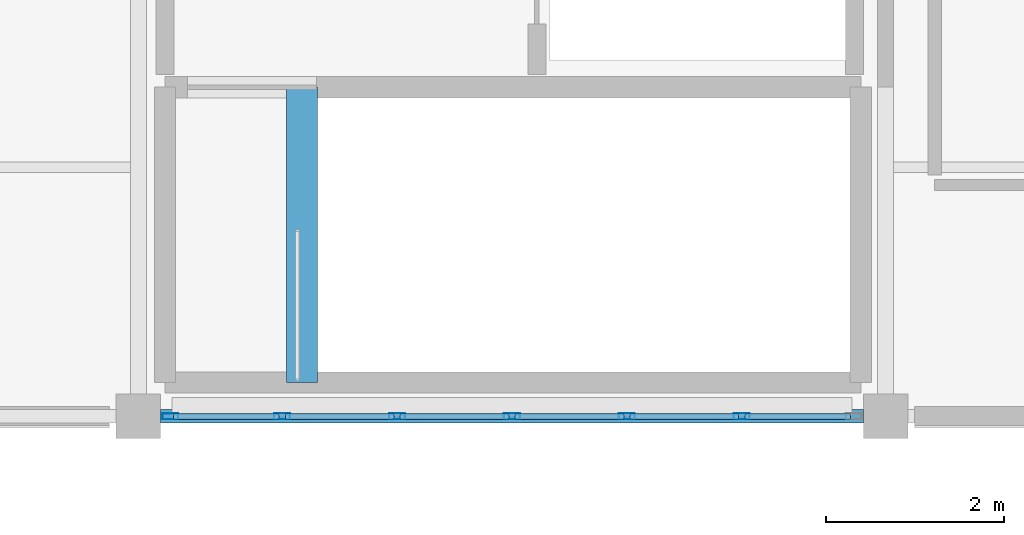
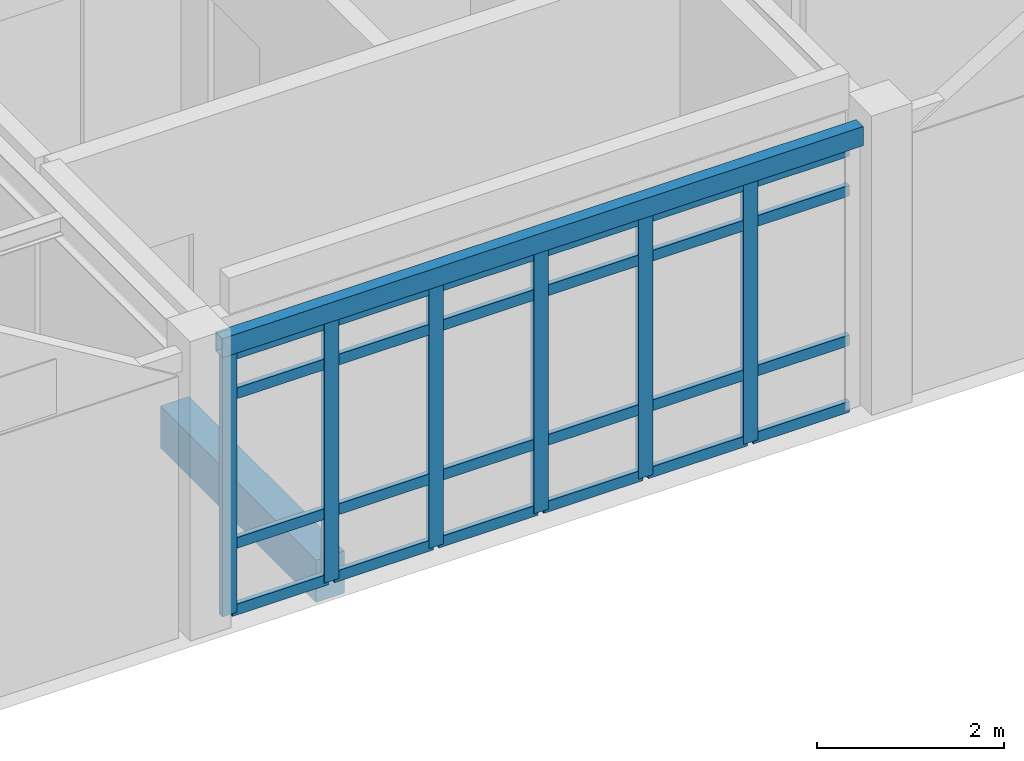
# One storey, part 12 of 45: 30 members, 2 beams, 1 element without a shape of its own.
"""IFC4 building model written with IfcOpenShell, lengths in metres."""

from ifc_helpers import new_model, si_unit, direction, frame, origin, origin_2d, place, context, subcontext, project, spatial, rectangle, hollow_rectangle, extrude, material, layer, layer_set, material_profile, profile_set, type_object, element, aggregate, save


model = new_model("IFC4")

# Units and contexts
model_context = context("Model", 3, precision=1e-05, world=origin(), true_north=direction((0.0, 1.0)))
body_context = subcontext(model_context, "Body", "Model", "MODEL_VIEW")
ifc_project = project(units=[si_unit("LENGTHUNIT", "METRE"), si_unit("AREAUNIT", "SQUARE_METRE"), si_unit("VOLUMEUNIT", "CUBIC_METRE"), si_unit("PLANEANGLEUNIT", "RADIAN"), si_unit("MASSUNIT", "GRAM", prefix="KILO")], contexts=[model_context])

# Site, building, storey
site_placement = place(None, origin())
site = spatial("IfcSite", under=ifc_project, at=site_placement, CompositionType="ELEMENT")
building_placement = place(site_placement, origin())
building = spatial("IfcBuilding", under=site, at=building_placement, Name="Bramfleet General Hospital", CompositionType="ELEMENT")
storey_placement = place(building_placement, frame((0.0, 0.0, 30.300048828125)))
storey = spatial("IfcBuildingStorey", under=building, at=storey_placement, Name="L07", CompositionType="ELEMENT", Elevation=30.300048828125)

# Beams
ifc_material_1 = material(Name="Concrete C35/45", Category="concrete")
ifc_material_profile_1 = material_profile(ifc_material_1, rectangle(XDim=0.35009765625, YDim=0.550048828125, at=origin_2d()), Name="RC BM 550x350")
ifc_profile_set_1 = profile_set([ifc_material_profile_1], Name="Concrete C35/45")
beam_type_1 = type_object("IfcBeamType", Name="BM-RC550", PredefinedType="BEAM", material=ifc_profile_set_1)
beam_1_placement = place(storey_placement, frame((77.43994140625, 92.780029296875, -0.275146484375), z_axis=(0.0, 1.0, 0.0), x_axis=(-1.0, 0.0, 0.0)))
element("IfcBeam", 1, at=beam_1_placement, inside=storey, type_object=beam_type_1, Name="L07 C5 Stairwell Trimmer Beam", PredefinedType="BEAM", context=body_context, shape_type="SweptSolid", body=[
    extrude(rectangle(XDim=0.35009765625, YDim=0.550048828125, at=origin_2d()), origin(), (0.0, 0.0, 1.0), 3.320068359375),
])
ifc_material_2 = material(Name="Steel S355", Category="steel")
ifc_material_profile_2 = material_profile(ifc_material_2, hollow_rectangle(XDim=0.14990234375, YDim=0.25, WallThickness=0.010009765625, at=origin_2d()), Name="RHS 250x150x10.0")
ifc_profile_set_2 = profile_set([ifc_material_profile_2], Name="Steel S355")
beam_type_2 = type_object("IfcBeamType", Name="BM-RHS250", PredefinedType="SPANDREL", material=ifc_profile_set_2)
beam_2_placement = place(storey_placement, frame((75.85009765625, 92.39990234375, 3.534912109375), z_axis=(1.0, 0.0, 0.0), x_axis=(0.0, 1.0, 0.0)))
element("IfcBeam", 2, at=beam_2_placement, inside=storey, type_object=beam_type_2, Name="L07 Grid Beam X 09-11", PredefinedType="SPANDREL", context=body_context, shape_type="SweptSolid", body=[
    extrude(hollow_rectangle(XDim=0.14990234375, YDim=0.25, WallThickness=0.010009765625, at=origin_2d()), origin(), (0.0, 0.0, 1.0), 7.89990234375),
])

# Curtain wall, members
ifc_material_3 = material(Name="Anodised aluminium and low-E triple glazing", Category="aluminium")
ifc_layer = layer(ifc_material_3, 0.179931640625, Name="CWT-CW-07")
ifc_layer_set = layer_set([ifc_layer], Name="Anodised aluminium and low-E triple glazing")
curtain_wall_type = type_object("IfcCurtainWallType", Name="CWT-CW-07", PredefinedType="USERDEFINED", material=ifc_layer_set)
curtain_wall_placement = place(storey_placement, origin())
curtain_wall = element("IfcCurtainWall", 3, at=curtain_wall_placement, inside=storey, type_object=curtain_wall_type, Name="L07 Curtain Wall 223", ObjectType="Unitised curtain wall", PredefinedType="USERDEFINED")
ifc_material_4 = material(Name="Anodised aluminium EN AW-6060", Category="aluminium")
ifc_material_profile_3 = material_profile(ifc_material_4, hollow_rectangle(XDim=0.070068359375, YDim=0.179931640625, WallThickness=0.00390625, at=origin_2d()), Name="ALU 180x70x4.0")
ifc_profile_set_3 = profile_set([ifc_material_profile_3], Name="Anodised aluminium EN AW-6060")
member_type_1 = type_object("IfcMemberType", Name="CWM-ALU180", PredefinedType="MULLION", material=ifc_profile_set_3)
member_1_placement = place(storey_placement, frame((82.38330078125, 92.39990234375, 0.0), z_axis=(0.0, 0.0, 1.0), x_axis=(0.0, -1.0, 0.0)))
member_1 = element("IfcMember", 4, at=member_1_placement, type_object=member_type_1, Name="CW-07 mullion 2", PredefinedType="MULLION", context=body_context, shape_type="SweptSolid", body=[
    extrude(hollow_rectangle(XDim=0.070068359375, YDim=0.179931640625, WallThickness=0.00390625, at=origin_2d()), origin(), (0.0, 0.0, 1.0), 3.39990234375),
])
member_2_placement = place(storey_placement, frame((81.091552734375, 92.39990234375, 0.0), z_axis=(0.0, 0.0, 1.0), x_axis=(0.0, -1.0, 0.0)))
member_2 = element("IfcMember", 5, at=member_2_placement, type_object=member_type_1, Name="CW-07 mullion 3", PredefinedType="MULLION", context=body_context, shape_type="SweptSolid", body=[
    extrude(hollow_rectangle(XDim=0.070068359375, YDim=0.179931640625, WallThickness=0.00390625, at=origin_2d()), origin(), (0.0, 0.0, 1.0), 3.39990234375),
])
member_3_placement = place(storey_placement, frame((79.800048828125, 92.39990234375, 0.0), z_axis=(0.0, 0.0, 1.0), x_axis=(0.0, -1.0, 0.0)))
member_3 = element("IfcMember", 6, at=member_3_placement, type_object=member_type_1, Name="CW-07 mullion 4", PredefinedType="MULLION", context=body_context, shape_type="SweptSolid", body=[
    extrude(hollow_rectangle(XDim=0.070068359375, YDim=0.179931640625, WallThickness=0.00390625, at=origin_2d()), origin(), (0.0, 0.0, 1.0), 3.39990234375),
])
member_4_placement = place(storey_placement, frame((78.50830078125, 92.39990234375, 0.0), z_axis=(0.0, 0.0, 1.0), x_axis=(0.0, -1.0, 0.0)))
member_4 = element("IfcMember", 7, at=member_4_placement, type_object=member_type_1, Name="CW-07 mullion 5", PredefinedType="MULLION", context=body_context, shape_type="SweptSolid", body=[
    extrude(hollow_rectangle(XDim=0.070068359375, YDim=0.179931640625, WallThickness=0.00390625, at=origin_2d()), origin(), (0.0, 0.0, 1.0), 3.39990234375),
])
member_5_placement = place(storey_placement, frame((77.216552734375, 92.39990234375, 0.0), z_axis=(0.0, 0.0, 1.0), x_axis=(0.0, -1.0, 0.0)))
member_5 = element("IfcMember", 8, at=member_5_placement, type_object=member_type_1, Name="CW-07 mullion 6", PredefinedType="MULLION", context=body_context, shape_type="SweptSolid", body=[
    extrude(hollow_rectangle(XDim=0.070068359375, YDim=0.179931640625, WallThickness=0.00390625, at=origin_2d()), origin(), (0.0, 0.0, 1.0), 3.39990234375),
])
member_6_placement = place(storey_placement, frame((75.9599609375, 92.39990234375, 0.0), z_axis=(0.0, 0.0, 1.0), x_axis=(0.0, -1.0, 0.0)))
member_6 = element("IfcMember", 9, at=member_6_placement, type_object=member_type_1, Name="CW-07 mullion 7", PredefinedType="MULLION", context=body_context, shape_type="SweptSolid", body=[
    extrude(hollow_rectangle(XDim=0.070068359375, YDim=0.179931640625, WallThickness=0.00390625, at=origin_2d()), origin(), (0.0, 0.0, 1.0), 3.39990234375),
])
ifc_material_profile_4 = material_profile(ifc_material_4, hollow_rectangle(XDim=0.06494140625, YDim=0.139892578125, WallThickness=0.00390625, at=origin_2d()), Name="ALU 140x65x4.0")
ifc_profile_set_4 = profile_set([ifc_material_profile_4], Name="Anodised aluminium EN AW-6060")
member_type_2 = type_object("IfcMemberType", Name="CWT-ALU140", PredefinedType="USERDEFINED", material=ifc_profile_set_4)
member_7_placement = place(storey_placement, frame((83.60498046875, 92.39990234375, 0.032470703125), z_axis=(-1.0, 0.0, 0.0), x_axis=(0.0, -1.0, 0.0)))
member_7 = element("IfcMember", 10, at=member_7_placement, type_object=member_type_2, Name="CW-07 transom 1.1", ObjectType="TRANSOM", PredefinedType="USERDEFINED", context=body_context, shape_type="SweptSolid", body=[
    extrude(hollow_rectangle(XDim=0.06494140625, YDim=0.139892578125, WallThickness=0.00390625, at=origin_2d()), origin(), (0.0, 0.0, 1.0), 1.186767578125),
])
member_8_placement = place(storey_placement, frame((83.60498046875, 92.39990234375, 0.89990234375), z_axis=(-1.0, 0.0, 0.0), x_axis=(0.0, -1.0, 0.0)))
member_8 = element("IfcMember", 11, at=member_8_placement, type_object=member_type_2, Name="CW-07 transom 1.2", ObjectType="TRANSOM", PredefinedType="USERDEFINED", context=body_context, shape_type="SweptSolid", body=[
    extrude(hollow_rectangle(XDim=0.06494140625, YDim=0.139892578125, WallThickness=0.00390625, at=origin_2d()), origin(), (0.0, 0.0, 1.0), 1.186767578125),
])
member_9_placement = place(storey_placement, frame((83.60498046875, 92.39990234375, 2.849853515625), z_axis=(-1.0, 0.0, 0.0), x_axis=(0.0, -1.0, 0.0)))
member_9 = element("IfcMember", 12, at=member_9_placement, type_object=member_type_2, Name="CW-07 transom 1.3", ObjectType="TRANSOM", PredefinedType="USERDEFINED", context=body_context, shape_type="SweptSolid", body=[
    extrude(hollow_rectangle(XDim=0.06494140625, YDim=0.139892578125, WallThickness=0.00390625, at=origin_2d()), origin(), (0.0, 0.0, 1.0), 1.186767578125),
])
member_10_placement = place(storey_placement, frame((83.60498046875, 92.39990234375, 3.367431640625), z_axis=(-1.0, 0.0, 0.0), x_axis=(0.0, -1.0, 0.0)))
member_10 = element("IfcMember", 13, at=member_10_placement, type_object=member_type_2, Name="CW-07 transom 1.4", ObjectType="TRANSOM", PredefinedType="USERDEFINED", context=body_context, shape_type="SweptSolid", body=[
    extrude(hollow_rectangle(XDim=0.06494140625, YDim=0.139892578125, WallThickness=0.00390625, at=origin_2d()), origin(), (0.0, 0.0, 1.0), 1.186767578125),
])
member_11_placement = place(storey_placement, frame((82.348388671875, 92.39990234375, 0.032470703125), z_axis=(-1.0, 0.0, 0.0), x_axis=(0.0, -1.0, 0.0)))
member_11 = element("IfcMember", 14, at=member_11_placement, type_object=member_type_2, Name="CW-07 transom 2.1", ObjectType="TRANSOM", PredefinedType="USERDEFINED", context=body_context, shape_type="SweptSolid", body=[
    extrude(hollow_rectangle(XDim=0.06494140625, YDim=0.139892578125, WallThickness=0.00390625, at=origin_2d()), origin(), (0.0, 0.0, 1.0), 1.2216796875),
])
member_12_placement = place(storey_placement, frame((82.348388671875, 92.39990234375, 0.89990234375), z_axis=(-1.0, 0.0, 0.0), x_axis=(0.0, -1.0, 0.0)))
member_12 = element("IfcMember", 15, at=member_12_placement, type_object=member_type_2, Name="CW-07 transom 2.2", ObjectType="TRANSOM", PredefinedType="USERDEFINED", context=body_context, shape_type="SweptSolid", body=[
    extrude(hollow_rectangle(XDim=0.06494140625, YDim=0.139892578125, WallThickness=0.00390625, at=origin_2d()), origin(), (0.0, 0.0, 1.0), 1.2216796875),
])
member_13_placement = place(storey_placement, frame((82.348388671875, 92.39990234375, 2.849853515625), z_axis=(-1.0, 0.0, 0.0), x_axis=(0.0, -1.0, 0.0)))
member_13 = element("IfcMember", 16, at=member_13_placement, type_object=member_type_2, Name="CW-07 transom 2.3", ObjectType="TRANSOM", PredefinedType="USERDEFINED", context=body_context, shape_type="SweptSolid", body=[
    extrude(hollow_rectangle(XDim=0.06494140625, YDim=0.139892578125, WallThickness=0.00390625, at=origin_2d()), origin(), (0.0, 0.0, 1.0), 1.2216796875),
])
member_14_placement = place(storey_placement, frame((82.348388671875, 92.39990234375, 3.367431640625), z_axis=(-1.0, 0.0, 0.0), x_axis=(0.0, -1.0, 0.0)))
member_14 = element("IfcMember", 17, at=member_14_placement, type_object=member_type_2, Name="CW-07 transom 2.4", ObjectType="TRANSOM", PredefinedType="USERDEFINED", context=body_context, shape_type="SweptSolid", body=[
    extrude(hollow_rectangle(XDim=0.06494140625, YDim=0.139892578125, WallThickness=0.00390625, at=origin_2d()), origin(), (0.0, 0.0, 1.0), 1.2216796875),
])
member_15_placement = place(storey_placement, frame((81.056640625, 92.39990234375, 0.032470703125), z_axis=(-1.0, 0.0, 0.0), x_axis=(0.0, -1.0, 0.0)))
member_15 = element("IfcMember", 18, at=member_15_placement, type_object=member_type_2, Name="CW-07 transom 3.1", ObjectType="TRANSOM", PredefinedType="USERDEFINED", context=body_context, shape_type="SweptSolid", body=[
    extrude(hollow_rectangle(XDim=0.06494140625, YDim=0.139892578125, WallThickness=0.00390625, at=origin_2d()), origin(), (0.0, 0.0, 1.0), 1.2216796875),
])
member_16_placement = place(storey_placement, frame((81.056640625, 92.39990234375, 0.89990234375), z_axis=(-1.0, 0.0, 0.0), x_axis=(0.0, -1.0, 0.0)))
member_16 = element("IfcMember", 19, at=member_16_placement, type_object=member_type_2, Name="CW-07 transom 3.2", ObjectType="TRANSOM", PredefinedType="USERDEFINED", context=body_context, shape_type="SweptSolid", body=[
    extrude(hollow_rectangle(XDim=0.06494140625, YDim=0.139892578125, WallThickness=0.00390625, at=origin_2d()), origin(), (0.0, 0.0, 1.0), 1.2216796875),
])
member_17_placement = place(storey_placement, frame((81.056640625, 92.39990234375, 2.849853515625), z_axis=(-1.0, 0.0, 0.0), x_axis=(0.0, -1.0, 0.0)))
member_17 = element("IfcMember", 20, at=member_17_placement, type_object=member_type_2, Name="CW-07 transom 3.3", ObjectType="TRANSOM", PredefinedType="USERDEFINED", context=body_context, shape_type="SweptSolid", body=[
    extrude(hollow_rectangle(XDim=0.06494140625, YDim=0.139892578125, WallThickness=0.00390625, at=origin_2d()), origin(), (0.0, 0.0, 1.0), 1.2216796875),
])
member_18_placement = place(storey_placement, frame((81.056640625, 92.39990234375, 3.367431640625), z_axis=(-1.0, 0.0, 0.0), x_axis=(0.0, -1.0, 0.0)))
member_18 = element("IfcMember", 21, at=member_18_placement, type_object=member_type_2, Name="CW-07 transom 3.4", ObjectType="TRANSOM", PredefinedType="USERDEFINED", context=body_context, shape_type="SweptSolid", body=[
    extrude(hollow_rectangle(XDim=0.06494140625, YDim=0.139892578125, WallThickness=0.00390625, at=origin_2d()), origin(), (0.0, 0.0, 1.0), 1.2216796875),
])
member_19_placement = place(storey_placement, frame((79.764892578125, 92.39990234375, 0.032470703125), z_axis=(-1.0, 0.0, 0.0), x_axis=(0.0, -1.0, 0.0)))
member_19 = element("IfcMember", 22, at=member_19_placement, type_object=member_type_2, Name="CW-07 transom 4.1", ObjectType="TRANSOM", PredefinedType="USERDEFINED", context=body_context, shape_type="SweptSolid", body=[
    extrude(hollow_rectangle(XDim=0.06494140625, YDim=0.139892578125, WallThickness=0.00390625, at=origin_2d()), origin(), (0.0, 0.0, 1.0), 1.2216796875),
])
member_20_placement = place(storey_placement, frame((79.764892578125, 92.39990234375, 0.89990234375), z_axis=(-1.0, 0.0, 0.0), x_axis=(0.0, -1.0, 0.0)))
member_20 = element("IfcMember", 23, at=member_20_placement, type_object=member_type_2, Name="CW-07 transom 4.2", ObjectType="TRANSOM", PredefinedType="USERDEFINED", context=body_context, shape_type="SweptSolid", body=[
    extrude(hollow_rectangle(XDim=0.06494140625, YDim=0.139892578125, WallThickness=0.00390625, at=origin_2d()), origin(), (0.0, 0.0, 1.0), 1.2216796875),
])
member_21_placement = place(storey_placement, frame((79.764892578125, 92.39990234375, 2.849853515625), z_axis=(-1.0, 0.0, 0.0), x_axis=(0.0, -1.0, 0.0)))
member_21 = element("IfcMember", 24, at=member_21_placement, type_object=member_type_2, Name="CW-07 transom 4.3", ObjectType="TRANSOM", PredefinedType="USERDEFINED", context=body_context, shape_type="SweptSolid", body=[
    extrude(hollow_rectangle(XDim=0.06494140625, YDim=0.139892578125, WallThickness=0.00390625, at=origin_2d()), origin(), (0.0, 0.0, 1.0), 1.2216796875),
])
member_22_placement = place(storey_placement, frame((79.764892578125, 92.39990234375, 3.367431640625), z_axis=(-1.0, 0.0, 0.0), x_axis=(0.0, -1.0, 0.0)))
member_22 = element("IfcMember", 25, at=member_22_placement, type_object=member_type_2, Name="CW-07 transom 4.4", ObjectType="TRANSOM", PredefinedType="USERDEFINED", context=body_context, shape_type="SweptSolid", body=[
    extrude(hollow_rectangle(XDim=0.06494140625, YDim=0.139892578125, WallThickness=0.00390625, at=origin_2d()), origin(), (0.0, 0.0, 1.0), 1.2216796875),
])
member_23_placement = place(storey_placement, frame((78.473388671875, 92.39990234375, 0.032470703125), z_axis=(-1.0, 0.0, 0.0), x_axis=(0.0, -1.0, 0.0)))
member_23 = element("IfcMember", 26, at=member_23_placement, type_object=member_type_2, Name="CW-07 transom 5.1", ObjectType="TRANSOM", PredefinedType="USERDEFINED", context=body_context, shape_type="SweptSolid", body=[
    extrude(hollow_rectangle(XDim=0.06494140625, YDim=0.139892578125, WallThickness=0.00390625, at=origin_2d()), origin(), (0.0, 0.0, 1.0), 1.2216796875),
])
member_24_placement = place(storey_placement, frame((78.473388671875, 92.39990234375, 0.89990234375), z_axis=(-1.0, 0.0, 0.0), x_axis=(0.0, -1.0, 0.0)))
member_24 = element("IfcMember", 27, at=member_24_placement, type_object=member_type_2, Name="CW-07 transom 5.2", ObjectType="TRANSOM", PredefinedType="USERDEFINED", context=body_context, shape_type="SweptSolid", body=[
    extrude(hollow_rectangle(XDim=0.06494140625, YDim=0.139892578125, WallThickness=0.00390625, at=origin_2d()), origin(), (0.0, 0.0, 1.0), 1.2216796875),
])
member_25_placement = place(storey_placement, frame((78.473388671875, 92.39990234375, 2.849853515625), z_axis=(-1.0, 0.0, 0.0), x_axis=(0.0, -1.0, 0.0)))
member_25 = element("IfcMember", 28, at=member_25_placement, type_object=member_type_2, Name="CW-07 transom 5.3", ObjectType="TRANSOM", PredefinedType="USERDEFINED", context=body_context, shape_type="SweptSolid", body=[
    extrude(hollow_rectangle(XDim=0.06494140625, YDim=0.139892578125, WallThickness=0.00390625, at=origin_2d()), origin(), (0.0, 0.0, 1.0), 1.2216796875),
])
member_26_placement = place(storey_placement, frame((78.473388671875, 92.39990234375, 3.367431640625), z_axis=(-1.0, 0.0, 0.0), x_axis=(0.0, -1.0, 0.0)))
member_26 = element("IfcMember", 29, at=member_26_placement, type_object=member_type_2, Name="CW-07 transom 5.4", ObjectType="TRANSOM", PredefinedType="USERDEFINED", context=body_context, shape_type="SweptSolid", body=[
    extrude(hollow_rectangle(XDim=0.06494140625, YDim=0.139892578125, WallThickness=0.00390625, at=origin_2d()), origin(), (0.0, 0.0, 1.0), 1.2216796875),
])
member_27_placement = place(storey_placement, frame((77.181640625, 92.39990234375, 0.032470703125), z_axis=(-1.0, 0.0, 0.0), x_axis=(0.0, -1.0, 0.0)))
member_27 = element("IfcMember", 30, at=member_27_placement, type_object=member_type_2, Name="CW-07 transom 6.1", ObjectType="TRANSOM", PredefinedType="USERDEFINED", context=body_context, shape_type="SweptSolid", body=[
    extrude(hollow_rectangle(XDim=0.06494140625, YDim=0.139892578125, WallThickness=0.00390625, at=origin_2d()), origin(), (0.0, 0.0, 1.0), 1.1865234375),
])
member_28_placement = place(storey_placement, frame((77.181640625, 92.39990234375, 0.89990234375), z_axis=(-1.0, 0.0, 0.0), x_axis=(0.0, -1.0, 0.0)))
member_28 = element("IfcMember", 31, at=member_28_placement, type_object=member_type_2, Name="CW-07 transom 6.2", ObjectType="TRANSOM", PredefinedType="USERDEFINED", context=body_context, shape_type="SweptSolid", body=[
    extrude(hollow_rectangle(XDim=0.06494140625, YDim=0.139892578125, WallThickness=0.00390625, at=origin_2d()), origin(), (0.0, 0.0, 1.0), 1.1865234375),
])
member_29_placement = place(storey_placement, frame((77.181640625, 92.39990234375, 2.849853515625), z_axis=(-1.0, 0.0, 0.0), x_axis=(0.0, -1.0, 0.0)))
member_29 = element("IfcMember", 32, at=member_29_placement, type_object=member_type_2, Name="CW-07 transom 6.3", ObjectType="TRANSOM", PredefinedType="USERDEFINED", context=body_context, shape_type="SweptSolid", body=[
    extrude(hollow_rectangle(XDim=0.06494140625, YDim=0.139892578125, WallThickness=0.00390625, at=origin_2d()), origin(), (0.0, 0.0, 1.0), 1.1865234375),
])
member_30_placement = place(storey_placement, frame((77.181640625, 92.39990234375, 3.367431640625), z_axis=(-1.0, 0.0, 0.0), x_axis=(0.0, -1.0, 0.0)))
member_30 = element("IfcMember", 33, at=member_30_placement, type_object=member_type_2, Name="CW-07 transom 6.4", ObjectType="TRANSOM", PredefinedType="USERDEFINED", context=body_context, shape_type="SweptSolid", body=[
    extrude(hollow_rectangle(XDim=0.06494140625, YDim=0.139892578125, WallThickness=0.00390625, at=origin_2d()), origin(), (0.0, 0.0, 1.0), 1.1865234375),
])
aggregate(curtain_wall, [member_1, member_2, member_3, member_4, member_5, member_6, member_7, member_8, member_9, member_10, member_11, member_12, member_13, member_14, member_15, member_16, member_17, member_18, member_19, member_20, member_21, member_22, member_23, member_24, member_25, member_26, member_27, member_28, member_29, member_30])

save(model, "model.ifc")
